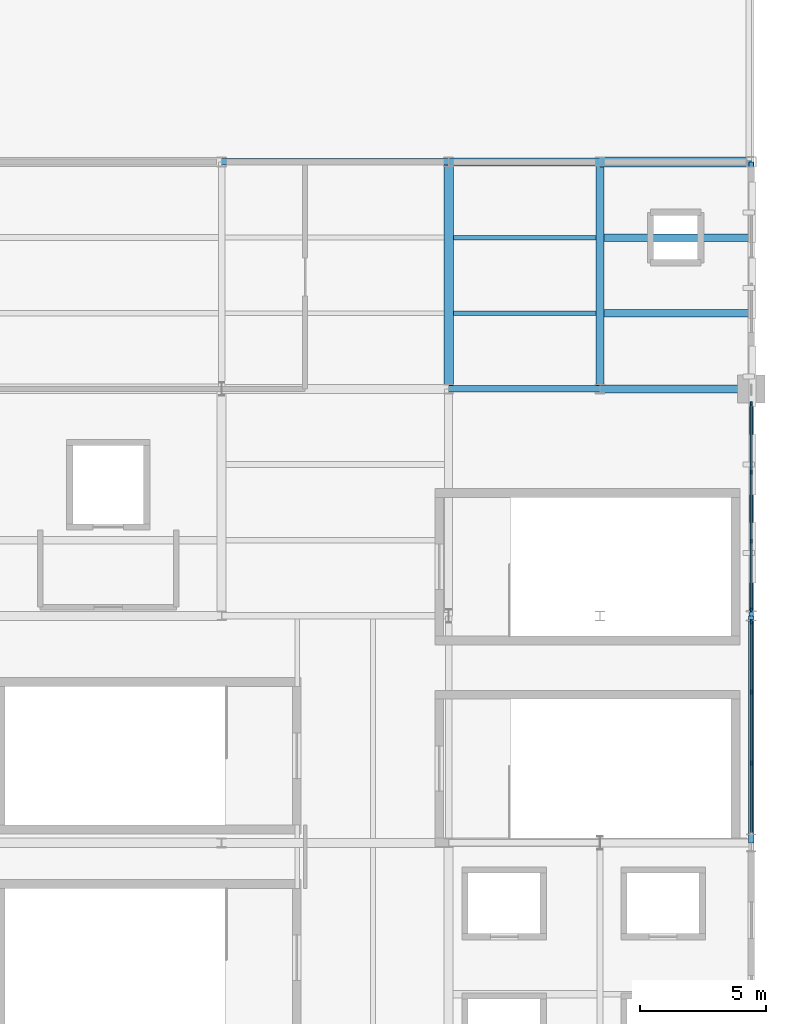
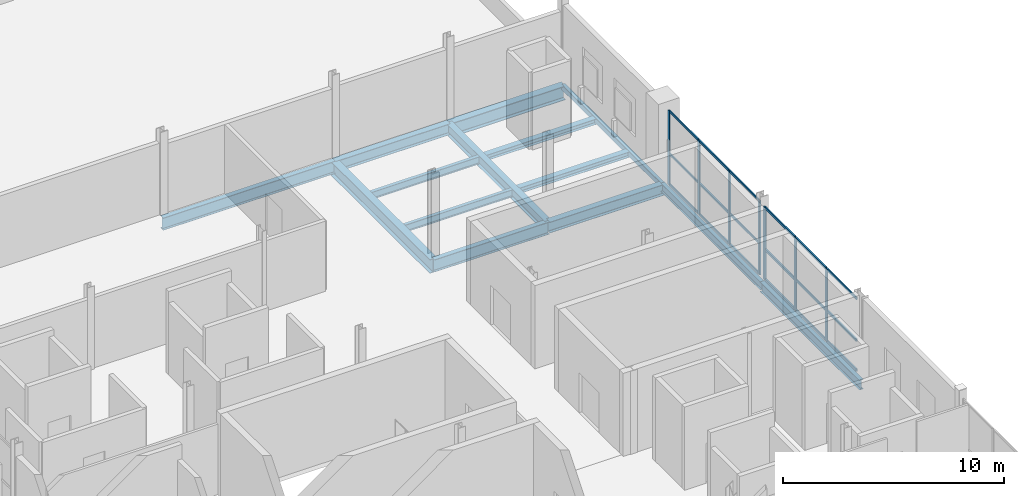
# One storey, part 19 of 29: 25 members, 14 beams, 2 elements without a shape of their own.
"""IFC4 building model written with IfcOpenShell, lengths in metres."""

from ifc_helpers import new_model, si_unit, direction, frame, origin, origin_2d, place, context, subcontext, project, spatial, rectangle, hollow_rectangle, i_section, extrude, material, layer, layer_set, material_profile, profile_set, type_object, element, aggregate, save


model = new_model("IFC4")

# Units and contexts
model_context = context("Model", 3, precision=1e-05, world=origin(), true_north=direction((0.0, 1.0)))
body_context = subcontext(model_context, "Body", "Model", "MODEL_VIEW")
ifc_project = project(units=[si_unit("LENGTHUNIT", "METRE"), si_unit("AREAUNIT", "SQUARE_METRE"), si_unit("VOLUMEUNIT", "CUBIC_METRE"), si_unit("PLANEANGLEUNIT", "RADIAN"), si_unit("MASSUNIT", "GRAM", prefix="KILO")], contexts=[model_context])

# Site, building, storey
site_placement = place(None, origin())
site = spatial("IfcSite", under=ifc_project, at=site_placement, CompositionType="ELEMENT")
building_placement = place(site_placement, origin())
building = spatial("IfcBuilding", under=site, at=building_placement, Name="Qamarlyn Nura Convention Centre", CompositionType="ELEMENT")
storey_placement = place(building_placement, frame((0.0, 0.0, 25.199951171875)))
storey = spatial("IfcBuildingStorey", under=building, at=storey_placement, Name="L05", CompositionType="ELEMENT", Elevation=25.199951171875)

# Beams
ifc_material_1 = material(Name="Steel ASTM A992", Category="steel")
ifc_material_profile_1 = material_profile(ifc_material_1, i_section(OverallWidth=0.323974609375, OverallDepth=0.611083984375, WebThickness=0.0126953125, FlangeThickness=0.01904296875, FilletRadius=0.01611328125, at=origin_2d()), Name="W610X155")
ifc_profile_set_1 = profile_set([ifc_material_profile_1], Name="Steel ASTM A992")
beam_type_1 = type_object("IfcBeamType", Name="BM-GIRD-610", PredefinedType="BEAM", material=ifc_profile_set_1)
for number, where, z_axis, x_axis, name in (
    (1, (186.0, 81.0, -0.54541015625), (1.0, 0.0, 0.0), (0.0, 1.0, 0.0), "L05 girder K 17-18"),
    (2, (180.0, 90.0, -0.54541015625), (1.0, 0.0, 0.0), (0.0, 1.0, 0.0), "L05 girder L 16-17"),
):
    element("IfcBeam", number, at=place(storey_placement, frame(where, z_axis=z_axis, x_axis=x_axis)), inside=storey, type_object=beam_type_1, Name=name, PredefinedType="BEAM", context=body_context, shape_type="SweptSolid", body=[
        extrude(i_section(OverallWidth=0.323974609375, OverallDepth=0.611083984375, WebThickness=0.0126953125, FlangeThickness=0.01904296875, FilletRadius=0.01611328125, at=origin_2d()), origin(), (0.0, 0.0, 1.0), 6.0),
    ])
beam_1_placement = place(storey_placement, frame((186.0, 81.0, -0.54541015625), z_axis=(0.0, 1.0, 0.0), x_axis=(-1.0, 0.0, 0.0)))
element("IfcBeam", 3, at=beam_1_placement, inside=storey, type_object=beam_type_1, Name="L05 girder 17 K-L", PredefinedType="BEAM", context=body_context, shape_type="SweptSolid", body=[
    extrude(i_section(OverallWidth=0.323974609375, OverallDepth=0.611083984375, WebThickness=0.0126953125, FlangeThickness=0.01904296875, FilletRadius=0.01611328125, at=origin_2d()), origin(), (0.0, 0.0, 1.0), 9.0),
])
ifc_material_profile_2 = material_profile(ifc_material_1, i_section(OverallWidth=0.25390625, OverallDepth=0.68408203125, WebThickness=0.012451171875, FlangeThickness=0.01904296875, FilletRadius=0.01806640625, at=origin_2d()), Name="W690X140")
ifc_profile_set_2 = profile_set([ifc_material_profile_2], Name="Steel ASTM A992")
beam_type_2 = type_object("IfcBeamType", Name="BM-GIRD-690B", PredefinedType="BEAM", material=ifc_profile_set_2)
beam_2_placement = place(storey_placement, frame((180.0, 81.0, -0.58203125), z_axis=(1.0, 0.0, 0.0), x_axis=(0.0, 1.0, 0.0)))
element("IfcBeam", 4, at=beam_2_placement, inside=storey, type_object=beam_type_2, Name="L05 girder K 16-17", PredefinedType="BEAM", context=body_context, shape_type="SweptSolid", body=[
    extrude(i_section(OverallWidth=0.25390625, OverallDepth=0.68408203125, WebThickness=0.012451171875, FlangeThickness=0.01904296875, FilletRadius=0.01806640625, at=origin_2d()), origin(), (0.0, 0.0, 1.0), 6.0),
])
beam_3_placement = place(storey_placement, frame((171.0, 90.0, -0.58203125), z_axis=(1.0, 0.0, 0.0), x_axis=(0.0, 1.0, 0.0)))
element("IfcBeam", 5, at=beam_3_placement, inside=storey, type_object=beam_type_2, Name="L05 girder L 15-16", PredefinedType="BEAM", context=body_context, shape_type="SweptSolid", body=[
    extrude(i_section(OverallWidth=0.25390625, OverallDepth=0.68408203125, WebThickness=0.012451171875, FlangeThickness=0.01904296875, FilletRadius=0.01806640625, at=origin_2d()), origin(), (0.0, 0.0, 1.0), 9.0),
])
ifc_material_profile_3 = material_profile(ifc_material_1, i_section(OverallWidth=0.381103515625, OverallDepth=0.77294921875, WebThickness=0.0166015625, FlangeThickness=0.027587890625, FilletRadius=0.02001953125, at=origin_2d()), Name="W760X257")
ifc_profile_set_3 = profile_set([ifc_material_profile_3], Name="Steel ASTM A992")
beam_type_3 = type_object("IfcBeamType", Name="BM-GIRD-760", PredefinedType="BEAM", material=ifc_profile_set_3)
beam_4_placement = place(storey_placement, frame((186.0, 90.0, -0.62646484375), z_axis=(1.0, 0.0, 0.0), x_axis=(0.0, 1.0, 0.0)))
element("IfcBeam", 6, at=beam_4_placement, inside=storey, type_object=beam_type_3, Name="L05 girder L 17-18", PredefinedType="BEAM", context=body_context, shape_type="SweptSolid", body=[
    extrude(i_section(OverallWidth=0.381103515625, OverallDepth=0.77294921875, WebThickness=0.0166015625, FlangeThickness=0.027587890625, FilletRadius=0.02001953125, at=origin_2d()), origin(), (0.0, 0.0, 1.0), 6.0),
])
beam_5_placement = place(storey_placement, frame((180.0, 81.0, -0.62646484375), z_axis=(0.0, 1.0, 0.0), x_axis=(-1.0, 0.0, 0.0)))
element("IfcBeam", 7, at=beam_5_placement, inside=storey, type_object=beam_type_3, Name="L05 girder 16 K-L", PredefinedType="BEAM", context=body_context, shape_type="SweptSolid", body=[
    extrude(i_section(OverallWidth=0.381103515625, OverallDepth=0.77294921875, WebThickness=0.0166015625, FlangeThickness=0.027587890625, FilletRadius=0.02001953125, at=origin_2d()), origin(), (0.0, 0.0, 1.0), 9.0),
])
ifc_material_profile_4 = material_profile(ifc_material_1, i_section(OverallWidth=0.304931640625, OverallDepth=0.30810546875, WebThickness=0.010009765625, FlangeThickness=0.015380859375, FilletRadius=0.014892578125, at=origin_2d()), Name="W310X97")
ifc_profile_set_4 = profile_set([ifc_material_profile_4], Name="Steel ASTM A992")
beam_type_4 = type_object("IfcBeamType", Name="BM-JOIST-310", PredefinedType="JOIST", material=ifc_profile_set_4)
for number, where, z_axis, x_axis, name in (
    (8, (186.162109375, 84.0, -0.39404296875), (1.0, 0.0, 0.0), (0.0, 1.0, 0.0), "L05 composite joist 17-18/K+1"),
    (9, (186.162109375, 87.0, -0.39404296875), (1.0, 0.0, 0.0), (0.0, 1.0, 0.0), "L05 composite joist 17-18/K+2"),
):
    element("IfcBeam", number, at=place(storey_placement, frame(where, z_axis=z_axis, x_axis=x_axis)), inside=storey, type_object=beam_type_4, Name=name, PredefinedType="JOIST", context=body_context, shape_type="SweptSolid", body=[
        extrude(i_section(OverallWidth=0.304931640625, OverallDepth=0.30810546875, WebThickness=0.010009765625, FlangeThickness=0.015380859375, FilletRadius=0.014892578125, at=origin_2d()), origin(), (0.0, 0.0, 1.0), 5.73779296875),
    ])
ifc_material_profile_5 = material_profile(ifc_material_1, i_section(OverallWidth=0.177978515625, OverallDepth=0.406982421875, WebThickness=0.0078125, FlangeThickness=0.0126953125, FilletRadius=0.011962890625, at=origin_2d()), Name="W410X60")
ifc_profile_set_5 = profile_set([ifc_material_profile_5], Name="Steel ASTM A992")
beam_type_5 = type_object("IfcBeamType", Name="BM-JOIST-410", PredefinedType="JOIST", material=ifc_profile_set_5)
for number, where, z_axis, x_axis, name in (
    (10, (180.1904296875, 84.0, -0.443359375), (1.0, 0.0, 0.0), (0.0, 1.0, 0.0), "L05 composite joist 16-17/K+1"),
    (11, (180.1904296875, 87.0, -0.443359375), (1.0, 0.0, 0.0), (0.0, 1.0, 0.0), "L05 composite joist 16-17/K+2"),
):
    element("IfcBeam", number, at=place(storey_placement, frame(where, z_axis=z_axis, x_axis=x_axis)), inside=storey, type_object=beam_type_5, Name=name, PredefinedType="JOIST", context=body_context, shape_type="SweptSolid", body=[
        extrude(i_section(OverallWidth=0.177978515625, OverallDepth=0.406982421875, WebThickness=0.0078125, FlangeThickness=0.0126953125, FilletRadius=0.011962890625, at=origin_2d()), origin(), (0.0, 0.0, 1.0), 5.6474609375),
    ])
ifc_material_profile_6 = material_profile(ifc_material_1, i_section(OverallWidth=0.193115234375, OverallDepth=0.466064453125, WebThickness=0.011474609375, FlangeThickness=0.01904296875, FilletRadius=0.012939453125, at=origin_2d()), Name="W460X97")
ifc_profile_set_6 = profile_set([ifc_material_profile_6], Name="Steel ASTM A992")
beam_type_6 = type_object("IfcBeamType", Name="BM-SPAN-460", PredefinedType="SPANDREL", material=ifc_profile_set_6)
beam_6_placement = place(storey_placement, frame((192.0, 72.0, -0.472900390625), z_axis=(0.0, 1.0, 0.0), x_axis=(-1.0, 0.0, 0.0)))
element("IfcBeam", 12, at=beam_6_placement, inside=storey, type_object=beam_type_6, Name="L05 girder 18 J-K", PredefinedType="SPANDREL", context=body_context, shape_type="SweptSolid", body=[
    extrude(i_section(OverallWidth=0.193115234375, OverallDepth=0.466064453125, WebThickness=0.011474609375, FlangeThickness=0.01904296875, FilletRadius=0.012939453125, at=origin_2d()), origin(), (0.0, 0.0, 1.0), 9.0),
])
ifc_material_profile_7 = material_profile(ifc_material_1, i_section(OverallWidth=0.2109375, OverallDepth=0.5390625, WebThickness=0.01171875, FlangeThickness=0.018798828125, FilletRadius=0.013916015625, at=origin_2d()), Name="W530X109")
ifc_profile_set_7 = profile_set([ifc_material_profile_7], Name="Steel ASTM A992")
beam_type_7 = type_object("IfcBeamType", Name="BM-SPAN-530", PredefinedType="SPANDREL", material=ifc_profile_set_7)
beam_7_placement = place(storey_placement, frame((192.0, 63.0, -0.509521484375), z_axis=(0.0, 1.0, 0.0), x_axis=(-1.0, 0.0, 0.0)))
element("IfcBeam", 13, at=beam_7_placement, inside=storey, type_object=beam_type_7, Name="L05 girder 18 H-J", PredefinedType="SPANDREL", context=body_context, shape_type="SweptSolid", body=[
    extrude(i_section(OverallWidth=0.2109375, OverallDepth=0.5390625, WebThickness=0.01171875, FlangeThickness=0.018798828125, FilletRadius=0.013916015625, at=origin_2d()), origin(), (0.0, 0.0, 1.0), 9.0),
])
ifc_material_2 = material(Name="Steel ASTM A500 Grade C", Category="steel")
ifc_material_profile_8 = material_profile(ifc_material_2, hollow_rectangle(XDim=0.199951171875, YDim=0.300048828125, WallThickness=0.012451171875, InnerFilletRadius=0.012451171875, OuterFilletRadius=0.02490234375, at=origin_2d()), Name="HSS300X200X12.5")
ifc_profile_set_8 = profile_set([ifc_material_profile_8], Name="Steel ASTM A500 Grade C")
beam_type_8 = type_object("IfcBeamType", Name="BM-SPAN-HSS", PredefinedType="SPANDREL", material=ifc_profile_set_8)
beam_8_placement = place(storey_placement, frame((192.0, 81.0, -0.389892578125), z_axis=(0.0, 1.0, 0.0), x_axis=(-1.0, 0.0, 0.0)))
element("IfcBeam", 14, at=beam_8_placement, inside=storey, type_object=beam_type_8, Name="L05 girder 18 K-L", PredefinedType="SPANDREL", context=body_context, shape_type="SweptSolid", body=[
    extrude(hollow_rectangle(XDim=0.199951171875, YDim=0.300048828125, WallThickness=0.012451171875, InnerFilletRadius=0.012451171875, OuterFilletRadius=0.02490234375, at=origin_2d()), origin(), (0.0, 0.0, 1.0), 9.0),
])

# Curtain wall, members
ifc_material_3 = material(Name="Double-silver low-E insulated glass", Category="glass")
ifc_layer_1 = layer(ifc_material_3, 0.179931640625, Name="CW-UNIT-94")
ifc_layer_set_1 = layer_set([ifc_layer_1], Name="Double-silver low-E insulated glass")
curtain_wall_type_1 = type_object("IfcCurtainWallType", Name="CW-UNIT-94", PredefinedType="NOTDEFINED", material=ifc_layer_set_1)
curtain_wall_1_placement = place(storey_placement, origin())
curtain_wall_1 = element("IfcCurtainWall", 15, at=curtain_wall_1_placement, inside=storey, type_object=curtain_wall_type_1, Name="L05 unitised curtain wall EAST-9-1", PredefinedType="NOTDEFINED")
ifc_material_4 = material(Name="Champagne-anodised marine aluminium", Category="aluminium")
ifc_material_profile_9 = material_profile(ifc_material_4, rectangle(XDim=0.06494140625, YDim=0.159912109375, at=origin_2d()), Name="ALU MULLION 65x160")
ifc_profile_set_9 = profile_set([ifc_material_profile_9], Name="Champagne-anodised marine aluminium")
member_type_1 = type_object("IfcMemberType", Name="CWM-160", PredefinedType="MULLION", material=ifc_profile_set_9)
member_1_placement = place(storey_placement, frame((192.0, 80.41748046875, 0.0), z_axis=(0.0, 0.0, 1.0), x_axis=(1.0, 0.0, 0.0)))
member_1 = element("IfcMember", 16, at=member_1_placement, type_object=member_type_1, Name="CW94 mullion 1", PredefinedType="MULLION", context=body_context, shape_type="SweptSolid", body=[
    extrude(rectangle(XDim=0.06494140625, YDim=0.159912109375, at=origin_2d()), origin(), (0.0, 0.0, 1.0), 4.114013671875),
])
member_2_placement = place(storey_placement, frame((192.0, 77.7041015625, 0.0), z_axis=(0.0, 0.0, 1.0), x_axis=(1.0, 0.0, 0.0)))
member_2 = element("IfcMember", 17, at=member_2_placement, type_object=member_type_1, Name="CW94 mullion 2", PredefinedType="MULLION", context=body_context, shape_type="SweptSolid", body=[
    extrude(rectangle(XDim=0.06494140625, YDim=0.159912109375, at=origin_2d()), origin(), (0.0, 0.0, 1.0), 4.114013671875),
])
member_3_placement = place(storey_placement, frame((192.0, 74.958251953125, 0.0), z_axis=(0.0, 0.0, 1.0), x_axis=(1.0, 0.0, 0.0)))
member_3 = element("IfcMember", 18, at=member_3_placement, type_object=member_type_1, Name="CW94 mullion 3", PredefinedType="MULLION", context=body_context, shape_type="SweptSolid", body=[
    extrude(rectangle(XDim=0.06494140625, YDim=0.159912109375, at=origin_2d()), origin(), (0.0, 0.0, 1.0), 4.114013671875),
])
member_4_placement = place(storey_placement, frame((192.0, 72.2451171875, 0.0), z_axis=(0.0, 0.0, 1.0), x_axis=(1.0, 0.0, 0.0)))
member_4 = element("IfcMember", 19, at=member_4_placement, type_object=member_type_1, Name="CW94 mullion 4", PredefinedType="MULLION", context=body_context, shape_type="SweptSolid", body=[
    extrude(rectangle(XDim=0.06494140625, YDim=0.159912109375, at=origin_2d()), origin(), (0.0, 0.0, 1.0), 4.114013671875),
])

ifc_layer_2 = layer(ifc_material_3, 0.179931640625, Name="CW-UNIT-95")
ifc_layer_set_2 = layer_set([ifc_layer_2], Name="Double-silver low-E insulated glass")
curtain_wall_type_2 = type_object("IfcCurtainWallType", Name="CW-UNIT-95", PredefinedType="NOTDEFINED", material=ifc_layer_set_2)
curtain_wall_2_placement = place(storey_placement, origin())
curtain_wall_2 = element("IfcCurtainWall", 20, at=curtain_wall_2_placement, inside=storey, type_object=curtain_wall_type_2, Name="L05 unitised curtain wall EAST-8-1", PredefinedType="NOTDEFINED")
ifc_material_profile_10 = material_profile(ifc_material_4, rectangle(XDim=0.070068359375, YDim=0.179931640625, at=origin_2d()), Name="ALU MULLION 70x180")
ifc_profile_set_10 = profile_set([ifc_material_profile_10], Name="Champagne-anodised marine aluminium")
member_type_2 = type_object("IfcMemberType", Name="CWM-180", PredefinedType="MULLION", material=ifc_profile_set_10)
member_5_placement = place(storey_placement, frame((192.0, 71.75244140625, 0.0), z_axis=(0.0, 0.0, 1.0), x_axis=(1.0, 0.0, 0.0)))
member_5 = element("IfcMember", 21, at=member_5_placement, type_object=member_type_2, Name="CW95 mullion 1", PredefinedType="MULLION", context=body_context, shape_type="SweptSolid", body=[
    extrude(rectangle(XDim=0.070068359375, YDim=0.179931640625, at=origin_2d()), origin(), (0.0, 0.0, 1.0), 4.041015625),
])
member_6_placement = place(storey_placement, frame((192.0, 68.97412109375, 0.0), z_axis=(0.0, 0.0, 1.0), x_axis=(1.0, 0.0, 0.0)))
member_6 = element("IfcMember", 22, at=member_6_placement, type_object=member_type_2, Name="CW95 mullion 2", PredefinedType="MULLION", context=body_context, shape_type="SweptSolid", body=[
    extrude(rectangle(XDim=0.070068359375, YDim=0.179931640625, at=origin_2d()), origin(), (0.0, 0.0, 1.0), 4.041015625),
])
member_7_placement = place(storey_placement, frame((192.0, 66.160888671875, 0.0), z_axis=(0.0, 0.0, 1.0), x_axis=(1.0, 0.0, 0.0)))
member_7 = element("IfcMember", 23, at=member_7_placement, type_object=member_type_2, Name="CW95 mullion 3", PredefinedType="MULLION", context=body_context, shape_type="SweptSolid", body=[
    extrude(rectangle(XDim=0.070068359375, YDim=0.179931640625, at=origin_2d()), origin(), (0.0, 0.0, 1.0), 4.041015625),
])

# Member
ifc_material_profile_11 = material_profile(ifc_material_4, rectangle(XDim=0.06494140625, YDim=0.1201171875, at=origin_2d()), Name="ALU TRANSOM 65x120")
ifc_profile_set_11 = profile_set([ifc_material_profile_11], Name="Champagne-anodised marine aluminium")
member_type_3 = type_object("IfcMemberType", Name="CWT-120", PredefinedType="USERDEFINED", material=ifc_profile_set_11)
member_8_placement = place(storey_placement, frame((192.0, 80.385009765625, 0.032470703125), z_axis=(0.0, -1.0, 0.0), x_axis=(1.0, 0.0, 0.0)))
member_8 = element("IfcMember", 24, at=member_8_placement, type_object=member_type_3, Name="CW94 transom 1.1", ObjectType="TRANSOM", PredefinedType="USERDEFINED", context=body_context, shape_type="SweptSolid", body=[
    extrude(rectangle(XDim=0.06494140625, YDim=0.1201171875, at=origin_2d()), origin(), (0.0, 0.0, 1.0), 2.6484375),
])

member_9_placement = place(storey_placement, frame((192.0, 80.385009765625, 1.72802734375), z_axis=(0.0, -1.0, 0.0), x_axis=(1.0, 0.0, 0.0)))
member_9 = element("IfcMember", 25, at=member_9_placement, type_object=member_type_3, Name="CW94 transom 1.2", ObjectType="TRANSOM", PredefinedType="USERDEFINED", context=body_context, shape_type="SweptSolid", body=[
    extrude(rectangle(XDim=0.06494140625, YDim=0.1201171875, at=origin_2d()), origin(), (0.0, 0.0, 1.0), 2.6484375),
])

member_10_placement = place(storey_placement, frame((192.0, 80.385009765625, 4.08154296875), z_axis=(0.0, -1.0, 0.0), x_axis=(1.0, 0.0, 0.0)))
member_10 = element("IfcMember", 26, at=member_10_placement, type_object=member_type_3, Name="CW94 transom 1.3", ObjectType="TRANSOM", PredefinedType="USERDEFINED", context=body_context, shape_type="SweptSolid", body=[
    extrude(rectangle(XDim=0.06494140625, YDim=0.1201171875, at=origin_2d()), origin(), (0.0, 0.0, 1.0), 2.6484375),
])

member_11_placement = place(storey_placement, frame((192.0, 77.671630859375, 0.032470703125), z_axis=(0.0, -1.0, 0.0), x_axis=(1.0, 0.0, 0.0)))
member_11 = element("IfcMember", 27, at=member_11_placement, type_object=member_type_3, Name="CW94 transom 2.1", ObjectType="TRANSOM", PredefinedType="USERDEFINED", context=body_context, shape_type="SweptSolid", body=[
    extrude(rectangle(XDim=0.06494140625, YDim=0.1201171875, at=origin_2d()), origin(), (0.0, 0.0, 1.0), 2.680908203125),
])

member_12_placement = place(storey_placement, frame((192.0, 77.671630859375, 1.72802734375), z_axis=(0.0, -1.0, 0.0), x_axis=(1.0, 0.0, 0.0)))
member_12 = element("IfcMember", 28, at=member_12_placement, type_object=member_type_3, Name="CW94 transom 2.2", ObjectType="TRANSOM", PredefinedType="USERDEFINED", context=body_context, shape_type="SweptSolid", body=[
    extrude(rectangle(XDim=0.06494140625, YDim=0.1201171875, at=origin_2d()), origin(), (0.0, 0.0, 1.0), 2.680908203125),
])

member_13_placement = place(storey_placement, frame((192.0, 77.671630859375, 4.08154296875), z_axis=(0.0, -1.0, 0.0), x_axis=(1.0, 0.0, 0.0)))
member_13 = element("IfcMember", 29, at=member_13_placement, type_object=member_type_3, Name="CW94 transom 2.3", ObjectType="TRANSOM", PredefinedType="USERDEFINED", context=body_context, shape_type="SweptSolid", body=[
    extrude(rectangle(XDim=0.06494140625, YDim=0.1201171875, at=origin_2d()), origin(), (0.0, 0.0, 1.0), 2.680908203125),
])

member_14_placement = place(storey_placement, frame((192.0, 74.92578125, 0.032470703125), z_axis=(0.0, -1.0, 0.0), x_axis=(1.0, 0.0, 0.0)))
member_14 = element("IfcMember", 30, at=member_14_placement, type_object=member_type_3, Name="CW94 transom 3.1", ObjectType="TRANSOM", PredefinedType="USERDEFINED", context=body_context, shape_type="SweptSolid", body=[
    extrude(rectangle(XDim=0.06494140625, YDim=0.1201171875, at=origin_2d()), origin(), (0.0, 0.0, 1.0), 2.648193359375),
])

member_15_placement = place(storey_placement, frame((192.0, 74.92578125, 1.72802734375), z_axis=(0.0, -1.0, 0.0), x_axis=(1.0, 0.0, 0.0)))
member_15 = element("IfcMember", 31, at=member_15_placement, type_object=member_type_3, Name="CW94 transom 3.2", ObjectType="TRANSOM", PredefinedType="USERDEFINED", context=body_context, shape_type="SweptSolid", body=[
    extrude(rectangle(XDim=0.06494140625, YDim=0.1201171875, at=origin_2d()), origin(), (0.0, 0.0, 1.0), 2.648193359375),
])

member_16_placement = place(storey_placement, frame((192.0, 74.92578125, 4.08154296875), z_axis=(0.0, -1.0, 0.0), x_axis=(1.0, 0.0, 0.0)))
member_16 = element("IfcMember", 32, at=member_16_placement, type_object=member_type_3, Name="CW94 transom 3.3", ObjectType="TRANSOM", PredefinedType="USERDEFINED", context=body_context, shape_type="SweptSolid", body=[
    extrude(rectangle(XDim=0.06494140625, YDim=0.1201171875, at=origin_2d()), origin(), (0.0, 0.0, 1.0), 2.648193359375),
])

aggregate(curtain_wall_1, [member_1, member_2, member_3, member_4, member_8, member_9, member_10, member_11, member_12, member_13, member_14, member_15, member_16])

ifc_material_profile_12 = material_profile(ifc_material_4, rectangle(XDim=0.070068359375, YDim=0.139892578125, at=origin_2d()), Name="ALU TRANSOM 70x140")
ifc_profile_set_12 = profile_set([ifc_material_profile_12], Name="Champagne-anodised marine aluminium")
member_type_4 = type_object("IfcMemberType", Name="CWT-140", PredefinedType="USERDEFINED", material=ifc_profile_set_12)
member_17_placement = place(storey_placement, frame((192.0, 71.717529296875, 0.03515625), z_axis=(0.0, -1.0, 0.0), x_axis=(1.0, 0.0, 0.0)))
member_17 = element("IfcMember", 33, at=member_17_placement, type_object=member_type_4, Name="CW95 transom 1.1", ObjectType="TRANSOM", PredefinedType="USERDEFINED", context=body_context, shape_type="SweptSolid", body=[
    extrude(rectangle(XDim=0.070068359375, YDim=0.139892578125, at=origin_2d()), origin(), (0.0, 0.0, 1.0), 2.708251953125),
])

member_18_placement = place(storey_placement, frame((192.0, 71.717529296875, 1.697021484375), z_axis=(0.0, -1.0, 0.0), x_axis=(1.0, 0.0, 0.0)))
member_18 = element("IfcMember", 34, at=member_18_placement, type_object=member_type_4, Name="CW95 transom 1.2", ObjectType="TRANSOM", PredefinedType="USERDEFINED", context=body_context, shape_type="SweptSolid", body=[
    extrude(rectangle(XDim=0.070068359375, YDim=0.139892578125, at=origin_2d()), origin(), (0.0, 0.0, 1.0), 2.708251953125),
])

member_19_placement = place(storey_placement, frame((192.0, 71.717529296875, 4.006103515625), z_axis=(0.0, -1.0, 0.0), x_axis=(1.0, 0.0, 0.0)))
member_19 = element("IfcMember", 35, at=member_19_placement, type_object=member_type_4, Name="CW95 transom 1.3", ObjectType="TRANSOM", PredefinedType="USERDEFINED", context=body_context, shape_type="SweptSolid", body=[
    extrude(rectangle(XDim=0.070068359375, YDim=0.139892578125, at=origin_2d()), origin(), (0.0, 0.0, 1.0), 2.708251953125),
])

member_20_placement = place(storey_placement, frame((192.0, 68.939208984375, 0.03515625), z_axis=(0.0, -1.0, 0.0), x_axis=(1.0, 0.0, 0.0)))
member_20 = element("IfcMember", 36, at=member_20_placement, type_object=member_type_4, Name="CW95 transom 2.1", ObjectType="TRANSOM", PredefinedType="USERDEFINED", context=body_context, shape_type="SweptSolid", body=[
    extrude(rectangle(XDim=0.070068359375, YDim=0.139892578125, at=origin_2d()), origin(), (0.0, 0.0, 1.0), 2.743408203125),
])

member_21_placement = place(storey_placement, frame((192.0, 68.939208984375, 1.697021484375), z_axis=(0.0, -1.0, 0.0), x_axis=(1.0, 0.0, 0.0)))
member_21 = element("IfcMember", 37, at=member_21_placement, type_object=member_type_4, Name="CW95 transom 2.2", ObjectType="TRANSOM", PredefinedType="USERDEFINED", context=body_context, shape_type="SweptSolid", body=[
    extrude(rectangle(XDim=0.070068359375, YDim=0.139892578125, at=origin_2d()), origin(), (0.0, 0.0, 1.0), 2.743408203125),
])

member_22_placement = place(storey_placement, frame((192.0, 68.939208984375, 4.006103515625), z_axis=(0.0, -1.0, 0.0), x_axis=(1.0, 0.0, 0.0)))
member_22 = element("IfcMember", 38, at=member_22_placement, type_object=member_type_4, Name="CW95 transom 2.3", ObjectType="TRANSOM", PredefinedType="USERDEFINED", context=body_context, shape_type="SweptSolid", body=[
    extrude(rectangle(XDim=0.070068359375, YDim=0.139892578125, at=origin_2d()), origin(), (0.0, 0.0, 1.0), 2.743408203125),
])

member_23_placement = place(storey_placement, frame((192.0, 66.125732421875, 0.03515625), z_axis=(0.0, -1.0, 0.0), x_axis=(1.0, 0.0, 0.0)))
member_23 = element("IfcMember", 39, at=member_23_placement, type_object=member_type_4, Name="CW95 transom 3.1", ObjectType="TRANSOM", PredefinedType="USERDEFINED", context=body_context, shape_type="SweptSolid", body=[
    extrude(rectangle(XDim=0.070068359375, YDim=0.139892578125, at=origin_2d()), origin(), (0.0, 0.0, 1.0), 2.708251953125),
])

member_24_placement = place(storey_placement, frame((192.0, 66.125732421875, 1.697021484375), z_axis=(0.0, -1.0, 0.0), x_axis=(1.0, 0.0, 0.0)))
member_24 = element("IfcMember", 40, at=member_24_placement, type_object=member_type_4, Name="CW95 transom 3.2", ObjectType="TRANSOM", PredefinedType="USERDEFINED", context=body_context, shape_type="SweptSolid", body=[
    extrude(rectangle(XDim=0.070068359375, YDim=0.139892578125, at=origin_2d()), origin(), (0.0, 0.0, 1.0), 2.708251953125),
])

member_25_placement = place(storey_placement, frame((192.0, 66.125732421875, 4.006103515625), z_axis=(0.0, -1.0, 0.0), x_axis=(1.0, 0.0, 0.0)))
member_25 = element("IfcMember", 41, at=member_25_placement, type_object=member_type_4, Name="CW95 transom 3.3", ObjectType="TRANSOM", PredefinedType="USERDEFINED", context=body_context, shape_type="SweptSolid", body=[
    extrude(rectangle(XDim=0.070068359375, YDim=0.139892578125, at=origin_2d()), origin(), (0.0, 0.0, 1.0), 2.708251953125),
])

aggregate(curtain_wall_2, [member_5, member_6, member_7, member_17, member_18, member_19, member_20, member_21, member_22, member_23, member_24, member_25])

save(model, "model.ifc")
